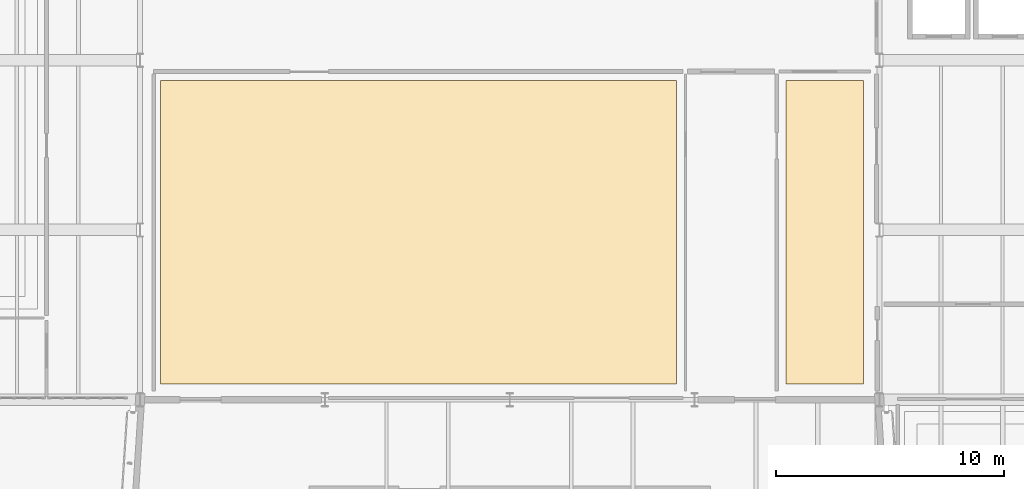
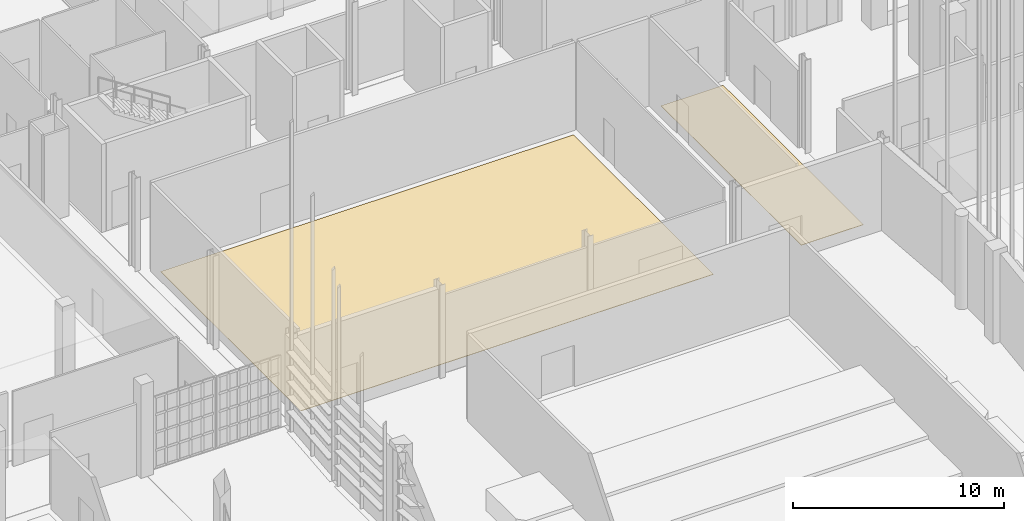
# One storey, part 365 of 372: 2 coverings.
"""IFC4 building model written with IfcOpenShell, lengths in metres."""

from ifc_helpers import new_model, si_unit, direction, origin, place, context, subcontext, project, spatial, polyline, outline, extrude, material, layer, layer_set, type_object, element, save


model = new_model("IFC4")

# Units and contexts
model_context = context("Model", 3, precision=1e-05, world=origin(), true_north=direction((0.0, 1.0)))
body_context = subcontext(model_context, "Body", "Model", "MODEL_VIEW")
ifc_project = project(units=[si_unit("LENGTHUNIT", "METRE"), si_unit("AREAUNIT", "SQUARE_METRE"), si_unit("VOLUMEUNIT", "CUBIC_METRE"), si_unit("PLANEANGLEUNIT", "RADIAN"), si_unit("MASSUNIT", "GRAM", prefix="KILO")], contexts=[model_context])

# Site, building, storey
site_placement = place(None, origin())
site = spatial("IfcSite", under=ifc_project, at=site_placement, CompositionType="ELEMENT")
building_placement = place(site_placement, origin())
building = spatial("IfcBuilding", under=site, at=building_placement, Name="Kaelora Sail Theatre", CompositionType="ELEMENT")
storey_placement = place(building_placement, origin())
storey = spatial("IfcBuildingStorey", under=building, at=storey_placement, Name="L00", CompositionType="ELEMENT", Elevation=0.0)

# Coverings
ifc_material = material(Name="Acoustic rubber backstage studio flooring", Category="rubber")
ifc_layer = layer(ifc_material, 0.02197265625)
ifc_layer_set = layer_set([ifc_layer], Name="Acoustic rubber backstage studio flooring")
covering_type = type_object("IfcCoveringType", Name="ARC-COV-FLR-AC-22", PredefinedType="FLOORING", material=ifc_layer_set)
covering_1_placement = place(storey_placement, origin())
element("IfcCovering", 1, at=covering_1_placement, inside=storey, type_object=covering_type, Name="Architectural flooring L00-STAGE-MAIN", PredefinedType="FLOORING", context=body_context, shape_type="SweptSolid", body=[
    extrude(outline(polyline([(26.699951171875, 61.699951171875), (49.300048828125, 61.699951171875), (49.300048828125, 75.0), (26.699951171875, 75.0), (26.699951171875, 61.699951171875)])), origin(), (0.0, 0.0, 1.0), 0.02197265625),
])
covering_2_placement = place(storey_placement, origin())
element("IfcCovering", 2, at=covering_2_placement, inside=storey, type_object=covering_type, Name="Architectural flooring L00-STAGE-SIDE", PredefinedType="FLOORING", context=body_context, shape_type="SweptSolid", body=[
    extrude(outline(polyline([(54.10009765625, 61.699951171875), (57.5, 61.699951171875), (57.5, 75.0), (54.10009765625, 75.0), (54.10009765625, 61.699951171875)])), origin(), (0.0, 0.0, 1.0), 0.02197265625),
])

save(model, "model.ifc")
